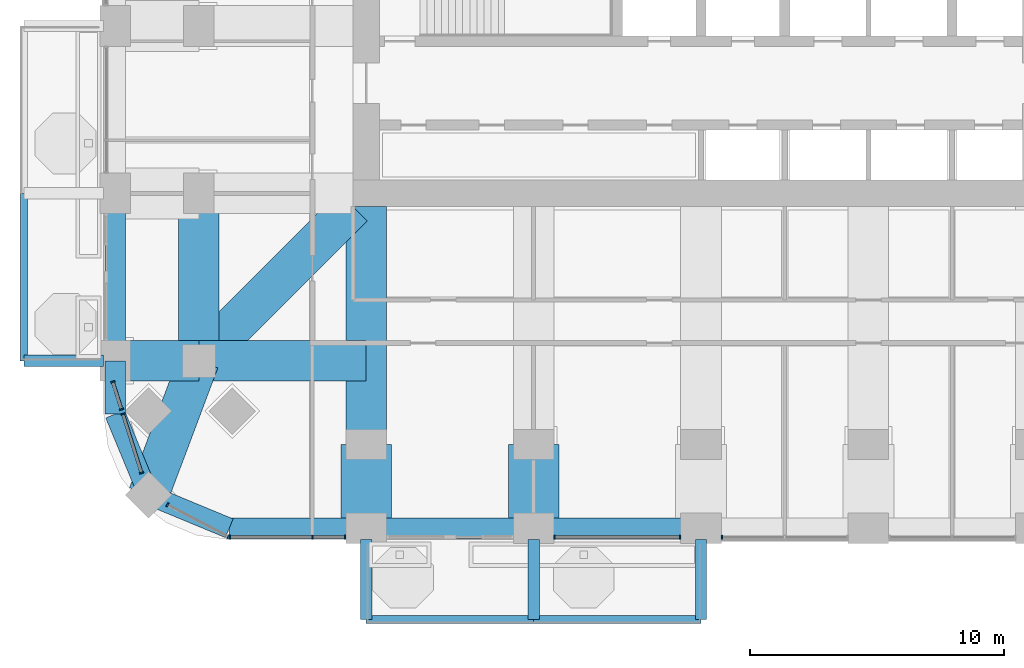
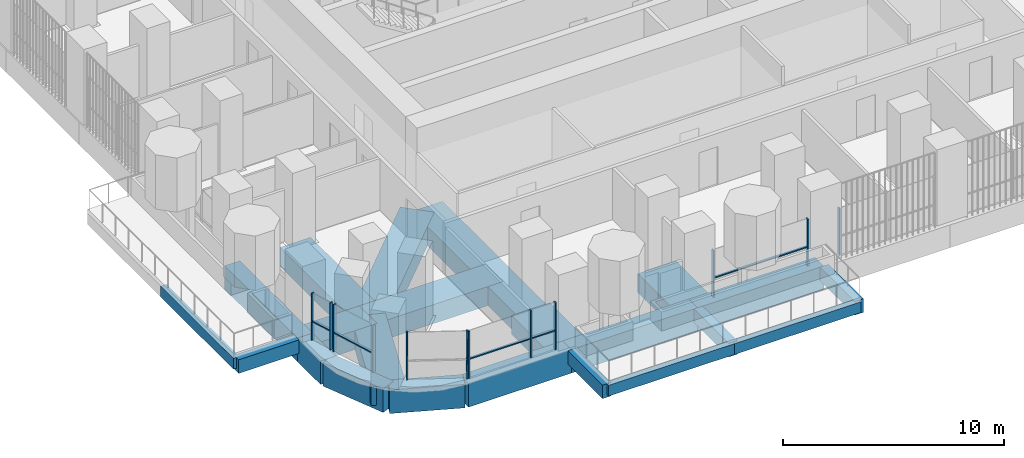
# One storey, part 2 of 21: 22 beams, 17 members, 6 elements without a shape of their own.
"""IFC4 building model written with IfcOpenShell, lengths in metres."""

from ifc_helpers import new_model, si_unit, direction, frame, origin, origin_2d, place, context, subcontext, project, spatial, rectangle, extrude, material, material_profile, profile_set, type_object, element, aggregate, save


model = new_model("IFC4")

# Units and contexts
model_context = context("Model", 3, precision=1e-05, world=origin(), true_north=direction((0.0, 1.0)))
body_context = subcontext(model_context, "Body", "Model", "MODEL_VIEW")
ifc_project = project(units=[si_unit("LENGTHUNIT", "METRE"), si_unit("AREAUNIT", "SQUARE_METRE"), si_unit("VOLUMEUNIT", "CUBIC_METRE"), si_unit("PLANEANGLEUNIT", "RADIAN"), si_unit("MASSUNIT", "GRAM", prefix="KILO")], contexts=[model_context])

# Site, building, storey
site_placement = place(None, origin())
site = spatial("IfcSite", under=ifc_project, at=site_placement, CompositionType="ELEMENT")
building_placement = place(site_placement, origin())
building = spatial("IfcBuilding", under=site, at=building_placement, Name="Cobogo Forest Laboratory Tower", CompositionType="ELEMENT")
storey_placement = place(building_placement, frame((0.0, 0.0, 141.0)))
storey = spatial("IfcBuildingStorey", under=building, at=storey_placement, Name="L32", CompositionType="ELEMENT", Elevation=141.0)

# Beams
ifc_material_1 = material(Name="Concrete HA-40 (C40/50)", Category="concrete")
ifc_material_profile_1 = material_profile(ifc_material_1, rectangle(XDim=0.449951171875, YDim=0.75, at=origin_2d()), Name="RC 450x750")
ifc_profile_set_1 = profile_set([ifc_material_profile_1], Name="Concrete HA-40 (C40/50)")
beam_type_1 = type_object("IfcBeamType", Name="Balcony cantilever beam 450x750", PredefinedType="BEAM", material=ifc_profile_set_1)
for number, where, z_axis, x_axis, name in (
    (1, (13.199951171875, -0.449951171875, -0.625), (0.0, -1.0, 0.0), (1.0, 0.0, 0.0), "CB1 BAL-S1-C1 L32"),
    (2, (19.800048828125, -0.449951171875, -0.625), (0.0, -1.0, 0.0), (1.0, 0.0, 0.0), "CB1 BAL-S1-C2 L32"),
    (3, (26.39990234375, -0.449951171875, -0.625), (0.0, -1.0, 0.0), (1.0, 0.0, 0.0), "CB1 BAL-S1-C3 L32"),
    (4, (2.85009765625, 6.60009765625, -0.625), (-1.0, 0.0, 0.0), (0.0, -1.0, 0.0), "CB1 BAL-W1-C1 L32"),
):
    element("IfcBeam", number, at=place(storey_placement, frame(where, z_axis=z_axis, x_axis=x_axis)), inside=storey, type_object=beam_type_1, Name=name, PredefinedType="BEAM", context=body_context, shape_type="SweptSolid", body=[
        extrude(rectangle(XDim=0.449951171875, YDim=0.75, at=origin_2d()), origin(), (0.0, 0.0, 1.0), 3.150146484375),
    ])
ifc_material_profile_2 = material_profile(ifc_material_1, rectangle(XDim=0.300048828125, YDim=0.60009765625, at=origin_2d()), Name="RC 300x600")
ifc_profile_set_2 = profile_set([ifc_material_profile_2], Name="Concrete HA-40 (C40/50)")
beam_type_2 = type_object("IfcBeamType", Name="Balcony edge beam 300x600", PredefinedType="BEAM", material=ifc_profile_set_2)
beam_1_placement = place(storey_placement, frame((13.199951171875, -3.60009765625, -0.550048828125), z_axis=(1.0, 0.0, 0.0), x_axis=(0.0, 1.0, 0.0)))
element("IfcBeam", 5, at=beam_1_placement, inside=storey, type_object=beam_type_2, Name="BB1 BAL-S1-T1 L32", PredefinedType="BEAM", context=body_context, shape_type="SweptSolid", body=[
    extrude(rectangle(XDim=0.300048828125, YDim=0.60009765625, at=origin_2d()), origin(), (0.0, 0.0, 1.0), 6.60009765625),
])
for number, where, z_axis, x_axis, name in (
    (6, (19.800048828125, -3.60009765625, -0.550048828125), (1.0, 0.0, 0.0), (0.0, 1.0, 0.0), "BB1 BAL-S1-T2 L32"),
    (7, (-0.300048828125, 6.60009765625, -0.550048828125), (0.0, 1.0, 0.0), (-1.0, 0.0, 0.0), "BB1 BAL-W1-T1 L32"),
):
    element("IfcBeam", number, at=place(storey_placement, frame(where, z_axis=z_axis, x_axis=x_axis)), inside=storey, type_object=beam_type_2, Name=name, PredefinedType="BEAM", context=body_context, shape_type="SweptSolid", body=[
        extrude(rectangle(XDim=0.300048828125, YDim=0.60009765625, at=origin_2d()), origin(), (0.0, 0.0, 1.0), 6.599853515625),
    ])
ifc_material_2 = material(Name="Concrete HA-50 (C50/60)", Category="concrete")
ifc_material_profile_3 = material_profile(ifc_material_2, rectangle(XDim=2.0, YDim=1.050048828125, at=origin_2d()), Name="RC 2000x1050")
ifc_profile_set_3 = profile_set([ifc_material_profile_3], Name="Concrete HA-50 (C50/60)")
beam_type_3 = type_object("IfcBeamType", Name="End-bay wide beam 2000x1050", PredefinedType="BEAM", material=ifc_profile_set_3)
for number, where, z_axis, x_axis, name in (
    (8, (13.199951171875, 0.0, -0.824951171875), (0.0, 1.0, 0.0), (-1.0, 0.0, 0.0), "RB7 R-3-S-X L32"),
    (9, (19.800048828125, 0.0, -0.824951171875), (0.0, 1.0, 0.0), (-1.0, 0.0, 0.0), "RB7 R-4-S-X L32"),
):
    element("IfcBeam", number, at=place(storey_placement, frame(where, z_axis=z_axis, x_axis=x_axis)), inside=storey, type_object=beam_type_3, Name=name, PredefinedType="BEAM", context=body_context, shape_type="SweptSolid", body=[
        extrude(rectangle(XDim=2.0, YDim=1.050048828125, at=origin_2d()), origin(), (0.0, 0.0, 1.0), 3.300048828125),
    ])
ifc_material_profile_4 = material_profile(ifc_material_2, rectangle(XDim=1.60009765625, YDim=1.050048828125, at=origin_2d()), Name="RC 1600x1050")
ifc_profile_set_4 = profile_set([ifc_material_profile_4], Name="Concrete HA-50 (C50/60)")
beam_type_4 = type_object("IfcBeamType", Name="Laboratory floor wide beam 1600x1050", PredefinedType="BEAM", material=ifc_profile_set_4)
beam_2_placement = place(storey_placement, frame((13.199951171875, 12.675048828125, -0.824951171875), z_axis=(0.0, -1.0, 0.0), x_axis=(1.0, 0.0, 0.0)))
element("IfcBeam", 10, at=beam_2_placement, inside=storey, type_object=beam_type_4, Name="RB8 R-3-S L32", PredefinedType="BEAM", context=body_context, shape_type="SweptSolid", body=[
    extrude(rectangle(XDim=1.60009765625, YDim=1.050048828125, at=origin_2d()), origin(), (0.0, 0.0, 1.0), 9.375),
])
beam_3_placement = place(storey_placement, frame((6.60009765625, 6.60009765625, -0.824951171875), z_axis=(0.0, 1.0, 0.0), x_axis=(-1.0, 0.0, 0.0)))
element("IfcBeam", 11, at=beam_3_placement, inside=storey, type_object=beam_type_4, Name="RB8 G-SW-XC L32", PredefinedType="BEAM", context=body_context, shape_type="SweptSolid", body=[
    extrude(rectangle(XDim=1.60009765625, YDim=1.050048828125, at=origin_2d()), origin(), (0.0, 0.0, 1.0), 6.599853515625),
])
beam_4_placement = place(storey_placement, frame((3.300048828125, 6.60009765625, -0.824951171875), z_axis=(1.0, 0.0, 0.0), x_axis=(0.0, 1.0, 0.0)))
element("IfcBeam", 12, at=beam_4_placement, inside=storey, type_object=beam_type_4, Name="RB8 G-SW-YF L32", PredefinedType="BEAM", context=body_context, shape_type="SweptSolid", body=[
    extrude(rectangle(XDim=1.60009765625, YDim=1.050048828125, at=origin_2d()), origin(), (0.0, 0.0, 1.0), 3.300048828125),
])
beam_5_placement = place(storey_placement, frame((6.60009765625, 6.60009765625, -0.824951171875), z_axis=(1.0, 0.0, 0.0), x_axis=(0.0, 1.0, 0.0)))
element("IfcBeam", 13, at=beam_5_placement, inside=storey, type_object=beam_type_4, Name="RB8 G-SW-YC L32", PredefinedType="BEAM", context=body_context, shape_type="SweptSolid", body=[
    extrude(rectangle(XDim=1.60009765625, YDim=1.050048828125, at=origin_2d()), origin(), (0.0, 0.0, 1.0), 6.599853515625),
])
beam_6_placement = place(storey_placement, frame((4.617919921875, 1.318115234375, -0.824951171875), z_axis=(0.351346325373, 0.936245565889, 0.0), x_axis=(-0.936245565889, 0.351346325373, 0.0)))
element("IfcBeam", 14, at=beam_6_placement, inside=storey, type_object=beam_type_4, Name="RB8 G-SW-D1 L32", PredefinedType="BEAM", context=body_context, shape_type="SweptSolid", body=[
    extrude(rectangle(XDim=1.60009765625, YDim=1.050048828125, at=origin_2d()), origin(), (0.0, 0.0, 1.0), 5.6416015625),
])
beam_7_placement = place(storey_placement, frame((6.60009765625, 6.60009765625, -0.824951171875), z_axis=(0.707106781187, 0.707106781187, 0.0), x_axis=(-0.707106781187, 0.707106781187, 0.0)))
element("IfcBeam", 15, at=beam_7_placement, inside=storey, type_object=beam_type_4, Name="RB8 G-SW-D2 L32", PredefinedType="BEAM", context=body_context, shape_type="SweptSolid", body=[
    extrude(rectangle(XDim=1.60009765625, YDim=1.050048828125, at=origin_2d()), origin(), (0.0, 0.0, 1.0), 8.59130859375),
])

# Curtain wall, members
ifc_material_3 = material(Name="Aluminium curtain wall", Category="aluminium")
curtain_wall_type = type_object("IfcCurtainWallType", Name="CW-1 unitised curtain wall, clear glazing, laboratory floors zones A and B", PredefinedType="USERDEFINED", material=ifc_material_3)
curtain_wall_1_placement = place(storey_placement, origin())
curtain_wall_1 = element("IfcCurtainWall", 16, at=curtain_wall_1_placement, inside=storey, type_object=curtain_wall_type, Name="Curtain wall 01 L32", ObjectType="UNITISED CURTAIN WALL", PredefinedType="USERDEFINED")
ifc_material_4 = material(Name="Aluminium mullion", Category="aluminium")
ifc_material_profile_5 = material_profile(ifc_material_4, rectangle(XDim=0.06005859375, YDim=0.159912109375, at=origin_2d()), Name="AL 60x160")
ifc_profile_set_5 = profile_set([ifc_material_profile_5], Name="Aluminium mullion")
member_type_1 = type_object("IfcMemberType", Name="MU-1 aluminium mullion 60x160", PredefinedType="MULLION", material=ifc_profile_set_5)
member_1_placement = place(storey_placement, frame((7.830078125, -0.35009765625, 0.0), z_axis=(0.0, 0.0, 1.0), x_axis=(1.0, 0.0, 0.0)))
member_1 = element("IfcMember", 17, at=member_1_placement, type_object=member_type_1, Name="CW-1 mullion 1", PredefinedType="MULLION", context=body_context, shape_type="SweptSolid", body=[
    extrude(rectangle(XDim=0.06005859375, YDim=0.159912109375, at=origin_2d()), origin(), (0.0, 0.0, 1.0), 2.60009765625),
])
member_2_placement = place(storey_placement, frame((11.074951171875, -0.35009765625, 0.0), z_axis=(0.0, 0.0, 1.0), x_axis=(1.0, 0.0, 0.0)))
member_2 = element("IfcMember", 18, at=member_2_placement, type_object=member_type_1, Name="CW-1 mullion 2", PredefinedType="MULLION", context=body_context, shape_type="SweptSolid", body=[
    extrude(rectangle(XDim=0.06005859375, YDim=0.159912109375, at=origin_2d()), origin(), (0.0, 0.0, 1.0), 2.60009765625),
])
member_3_placement = place(storey_placement, frame((12.3701171875, -0.35009765625, 0.0), z_axis=(0.0, 0.0, 1.0), x_axis=(1.0, 0.0, 0.0)))
member_3 = element("IfcMember", 19, at=member_3_placement, type_object=member_type_1, Name="CW-1 mullion 3", PredefinedType="MULLION", context=body_context, shape_type="SweptSolid", body=[
    extrude(rectangle(XDim=0.06005859375, YDim=0.159912109375, at=origin_2d()), origin(), (0.0, 0.0, 1.0), 2.60009765625),
])

curtain_wall_2_placement = place(storey_placement, origin())
curtain_wall_2 = element("IfcCurtainWall", 20, at=curtain_wall_2_placement, inside=storey, type_object=curtain_wall_type, Name="Curtain wall 03 L32", ObjectType="UNITISED CURTAIN WALL", PredefinedType="USERDEFINED")
member_4_placement = place(storey_placement, frame((20.6298828125, -0.35009765625, 0.0), z_axis=(0.0, 0.0, 1.0), x_axis=(1.0, 0.0, 0.0)))
member_4 = element("IfcMember", 21, at=member_4_placement, type_object=member_type_1, Name="CW-1 mullion 1", PredefinedType="MULLION", context=body_context, shape_type="SweptSolid", body=[
    extrude(rectangle(XDim=0.06005859375, YDim=0.159912109375, at=origin_2d()), origin(), (0.0, 0.0, 1.0), 2.60009765625),
])
member_5_placement = place(storey_placement, frame((25.570068359375, -0.35009765625, 0.0), z_axis=(0.0, 0.0, 1.0), x_axis=(1.0, 0.0, 0.0)))
member_5 = element("IfcMember", 22, at=member_5_placement, type_object=member_type_1, Name="CW-1 mullion 2", PredefinedType="MULLION", context=body_context, shape_type="SweptSolid", body=[
    extrude(rectangle(XDim=0.06005859375, YDim=0.159912109375, at=origin_2d()), origin(), (0.0, 0.0, 1.0), 2.60009765625),
])

# Curtain wall, member
curtain_wall_3_placement = place(storey_placement, origin())
curtain_wall_3 = element("IfcCurtainWall", 23, at=curtain_wall_3_placement, inside=storey, type_object=curtain_wall_type, Name="Curtain wall 04 L32", ObjectType="UNITISED CURTAIN WALL", PredefinedType="USERDEFINED")
member_6_placement = place(storey_placement, frame((27.22998046875, -0.35009765625, 0.0), z_axis=(0.0, 0.0, 1.0), x_axis=(1.0, 0.0, 0.0)))
member_6 = element("IfcMember", 24, at=member_6_placement, type_object=member_type_1, Name="CW-1 mullion 1", PredefinedType="MULLION", context=body_context, shape_type="SweptSolid", body=[
    extrude(rectangle(XDim=0.06005859375, YDim=0.159912109375, at=origin_2d()), origin(), (0.0, 0.0, 1.0), 2.60009765625),
])
aggregate(curtain_wall_3, [member_6])

# Curtain wall, members
curtain_wall_4_placement = place(storey_placement, origin())
curtain_wall_4 = element("IfcCurtainWall", 25, at=curtain_wall_4_placement, inside=storey, type_object=curtain_wall_type, Name="Curtain wall 32 L32", ObjectType="UNITISED CURTAIN WALL", PredefinedType="USERDEFINED")
member_7_placement = place(storey_placement, frame((3.211669921875, 5.771484375, 0.0), z_axis=(0.0, 0.0, 1.0), x_axis=(0.301135667865, -0.953581307252, 0.0)))
member_7 = element("IfcMember", 26, at=member_7_placement, type_object=member_type_1, Name="CW-1 mullion 1", PredefinedType="MULLION", context=body_context, shape_type="SweptSolid", body=[
    extrude(rectangle(XDim=0.06005859375, YDim=0.159912109375, at=origin_2d()), origin(), (0.0, 0.0, 1.0), 2.60009765625),
])
member_8_placement = place(storey_placement, frame((3.55224609375, 4.69287109375, 0.0), z_axis=(0.0, 0.0, 1.0), x_axis=(0.301135667865, -0.953581307252, 0.0)))
member_8 = element("IfcMember", 27, at=member_8_placement, type_object=member_type_1, Name="CW-1 mullion 2", PredefinedType="MULLION", context=body_context, shape_type="SweptSolid", body=[
    extrude(rectangle(XDim=0.06005859375, YDim=0.159912109375, at=origin_2d()), origin(), (0.0, 0.0, 1.0), 2.60009765625),
])

curtain_wall_5_placement = place(storey_placement, origin())
curtain_wall_5 = element("IfcCurtainWall", 28, at=curtain_wall_5_placement, inside=storey, type_object=curtain_wall_type, Name="Curtain wall 33 L32", ObjectType="UNITISED CURTAIN WALL", PredefinedType="USERDEFINED")
member_9_placement = place(storey_placement, frame((3.613037109375, 4.500244140625, 0.0), z_axis=(0.0, 0.0, 1.0), x_axis=(0.301135291996, -0.953581425949, 0.0)))
member_9 = element("IfcMember", 29, at=member_9_placement, type_object=member_type_1, Name="CW-1 mullion 1", PredefinedType="MULLION", context=body_context, shape_type="SweptSolid", body=[
    extrude(rectangle(XDim=0.06005859375, YDim=0.159912109375, at=origin_2d()), origin(), (0.0, 0.0, 1.0), 2.60009765625),
])
member_10_placement = place(storey_placement, frame((4.34423828125, 2.18505859375, 0.0), z_axis=(0.0, 0.0, 1.0), x_axis=(0.301135291996, -0.953581425949, 0.0)))
member_10 = element("IfcMember", 30, at=member_10_placement, type_object=member_type_1, Name="CW-1 mullion 2", PredefinedType="MULLION", context=body_context, shape_type="SweptSolid", body=[
    extrude(rectangle(XDim=0.06005859375, YDim=0.159912109375, at=origin_2d()), origin(), (0.0, 0.0, 1.0), 2.60009765625),
])

curtain_wall_6_placement = place(storey_placement, origin())
curtain_wall_6 = element("IfcCurtainWall", 31, at=curtain_wall_6_placement, inside=storey, type_object=curtain_wall_type, Name="Curtain wall 34 L32", ObjectType="UNITISED CURTAIN WALL", PredefinedType="USERDEFINED")
member_11_placement = place(storey_placement, frame((5.368408203125, 0.9248046875, 0.0), z_axis=(0.0, 0.0, 1.0), x_axis=(0.885686547075, -0.464283685186, 0.0)))
member_11 = element("IfcMember", 32, at=member_11_placement, type_object=member_type_1, Name="CW-1 mullion 1", PredefinedType="MULLION", context=body_context, shape_type="SweptSolid", body=[
    extrude(rectangle(XDim=0.06005859375, YDim=0.159912109375, at=origin_2d()), origin(), (0.0, 0.0, 1.0), 2.60009765625),
])
member_12_placement = place(storey_placement, frame((7.7734375, -0.336181640625, 0.0), z_axis=(0.0, 0.0, 1.0), x_axis=(0.885686547075, -0.464283685186, 0.0)))
member_12 = element("IfcMember", 33, at=member_12_placement, type_object=member_type_1, Name="CW-1 mullion 2", PredefinedType="MULLION", context=body_context, shape_type="SweptSolid", body=[
    extrude(rectangle(XDim=0.06005859375, YDim=0.159912109375, at=origin_2d()), origin(), (0.0, 0.0, 1.0), 2.60009765625),
])
aggregate(curtain_wall_6, [member_11, member_12])

# Beams
ifc_material_profile_6 = material_profile(ifc_material_1, rectangle(XDim=0.800048828125, YDim=1.300048828125, at=origin_2d()), Name="RC 800x1300")
ifc_profile_set_6 = profile_set([ifc_material_profile_6], Name="Concrete HA-40 (C40/50)")
beam_type_5 = type_object("IfcBeamType", Name="Perimeter edge beam 800x1300", PredefinedType="BEAM", material=ifc_profile_set_6)
beam_8_placement = place(storey_placement, frame((13.199951171875, 0.0, -0.949951171875), z_axis=(1.0, 0.0, 0.0), x_axis=(0.0, 1.0, 0.0)))
element("IfcBeam", 34, at=beam_8_placement, inside=storey, type_object=beam_type_5, Name="EB2 E-S1 L32", PredefinedType="BEAM", context=body_context, shape_type="SweptSolid", body=[
    extrude(rectangle(XDim=0.800048828125, YDim=1.300048828125, at=origin_2d()), origin(), (0.0, 0.0, 1.0), 6.60009765625),
])
for number, where, z_axis, x_axis, name in (
    (35, (19.800048828125, 0.0, -0.949951171875), (1.0, 0.0, 0.0), (0.0, 1.0, 0.0), "EB2 E-S2 L32"),
    (36, (3.300048828125, 6.60009765625, -0.949951171875), (0.0, 1.0, 0.0), (-1.0, 0.0, 0.0), "EB2 E-W1 L32"),
):
    element("IfcBeam", number, at=place(storey_placement, frame(where, z_axis=z_axis, x_axis=x_axis)), inside=storey, type_object=beam_type_5, Name=name, PredefinedType="BEAM", context=body_context, shape_type="SweptSolid", body=[
        extrude(rectangle(XDim=0.800048828125, YDim=1.300048828125, at=origin_2d()), origin(), (0.0, 0.0, 1.0), 6.599853515625),
    ])
beam_9_placement = place(storey_placement, frame((13.199951171875, 0.0, -0.949951171875), z_axis=(-1.0, 0.0, 0.0), x_axis=(0.0, -1.0, 0.0)))
element("IfcBeam", 37, at=beam_9_placement, inside=storey, type_object=beam_type_5, Name="EB2 E-SWS1 L32", PredefinedType="BEAM", context=body_context, shape_type="SweptSolid", body=[
    extrude(rectangle(XDim=0.800048828125, YDim=1.300048828125, at=origin_2d()), origin(), (0.0, 0.0, 1.0), 5.39990234375),
])
beam_10_placement = place(storey_placement, frame((7.800048828125, 0.0, -0.949951171875), z_axis=(-0.923876013265, 0.382691928466, 0.0), x_axis=(-0.382691928466, -0.923876013265, 0.0)))
element("IfcBeam", 38, at=beam_10_placement, inside=storey, type_object=beam_type_5, Name="EB2 E-SWS2 L32", PredefinedType="BEAM", context=body_context, shape_type="SweptSolid", body=[
    extrude(rectangle(XDim=0.800048828125, YDim=1.300048828125, at=origin_2d()), origin(), (0.0, 0.0, 1.0), 3.4443359375),
])
beam_11_placement = place(storey_placement, frame((3.300048828125, 6.60009765625, -0.949951171875), z_axis=(0.0, -1.0, 0.0), x_axis=(1.0, 0.0, 0.0)))
element("IfcBeam", 39, at=beam_11_placement, inside=storey, type_object=beam_type_5, Name="EB2 E-SWW1 L32", PredefinedType="BEAM", context=body_context, shape_type="SweptSolid", body=[
    extrude(rectangle(XDim=0.800048828125, YDim=1.300048828125, at=origin_2d()), origin(), (0.0, 0.0, 1.0), 2.10009765625),
])
beam_12_placement = place(storey_placement, frame((3.300048828125, 4.5, -0.949951171875), z_axis=(0.382656484822, -0.923890694089, 0.0), x_axis=(0.923890694089, 0.382656484822, 0.0)))
element("IfcBeam", 40, at=beam_12_placement, inside=storey, type_object=beam_type_5, Name="EB2 E-SWW2 L32", PredefinedType="BEAM", context=body_context, shape_type="SweptSolid", body=[
    extrude(rectangle(XDim=0.800048828125, YDim=1.300048828125, at=origin_2d()), origin(), (0.0, 0.0, 1.0), 3.444091796875),
])

# Member
ifc_material_5 = material(Name="Aluminium transom", Category="aluminium")
ifc_material_profile_7 = material_profile(ifc_material_5, rectangle(XDim=0.1201171875, YDim=0.06005859375, at=origin_2d()), Name="AL 60x120")
ifc_profile_set_7 = profile_set([ifc_material_profile_7], Name="Aluminium transom")
member_type_2 = type_object("IfcMemberType", Name="TR-1 aluminium transom 60x120", PredefinedType="USERDEFINED", material=ifc_profile_set_7)
member_13_placement = place(storey_placement, frame((7.860107421875, -0.35009765625, 1.050048828125), z_axis=(1.0, 0.0, 0.0), x_axis=(0.0, 1.0, 0.0)))
member_13 = element("IfcMember", 41, at=member_13_placement, type_object=member_type_2, Name="CW-1 transom 1.1", ObjectType="TRANSOM", PredefinedType="USERDEFINED", context=body_context, shape_type="SweptSolid", body=[
    extrude(rectangle(XDim=0.1201171875, YDim=0.06005859375, at=origin_2d()), origin(), (0.0, 0.0, 1.0), 3.184814453125),
])

member_14_placement = place(storey_placement, frame((11.10498046875, -0.35009765625, 1.050048828125), z_axis=(1.0, 0.0, 0.0), x_axis=(0.0, 1.0, 0.0)))
member_14 = element("IfcMember", 42, at=member_14_placement, type_object=member_type_2, Name="CW-1 transom 2.1", ObjectType="TRANSOM", PredefinedType="USERDEFINED", context=body_context, shape_type="SweptSolid", body=[
    extrude(rectangle(XDim=0.1201171875, YDim=0.06005859375, at=origin_2d()), origin(), (0.0, 0.0, 1.0), 1.235107421875),
])

aggregate(curtain_wall_1, [member_1, member_2, member_3, member_13, member_14])

member_15_placement = place(storey_placement, frame((20.659912109375, -0.35009765625, 1.050048828125), z_axis=(1.0, 0.0, 0.0), x_axis=(0.0, 1.0, 0.0)))
member_15 = element("IfcMember", 43, at=member_15_placement, type_object=member_type_2, Name="CW-1 transom 1.1", ObjectType="TRANSOM", PredefinedType="USERDEFINED", context=body_context, shape_type="SweptSolid", body=[
    extrude(rectangle(XDim=0.1201171875, YDim=0.06005859375, at=origin_2d()), origin(), (0.0, 0.0, 1.0), 4.880126953125),
])

aggregate(curtain_wall_2, [member_4, member_5, member_15])

member_16_placement = place(storey_placement, frame((3.220703125, 5.74267578125, 1.050048828125), z_axis=(0.301207754852, -0.953558539586, 0.0), x_axis=(0.953558539586, 0.301207754852, 0.0)))
member_16 = element("IfcMember", 44, at=member_16_placement, type_object=member_type_2, Name="CW-1 transom 1.1", ObjectType="TRANSOM", PredefinedType="USERDEFINED", context=body_context, shape_type="SweptSolid", body=[
    extrude(rectangle(XDim=0.1201171875, YDim=0.06005859375, at=origin_2d()), origin(), (0.0, 0.0, 1.0), 1.07080078125),
])

aggregate(curtain_wall_4, [member_7, member_8, member_16])

member_17_placement = place(storey_placement, frame((3.6220703125, 4.4716796875, 1.050048828125), z_axis=(0.301156039198, -0.953574873859, 0.0), x_axis=(0.953574873859, 0.301156039198, 0.0)))
member_17 = element("IfcMember", 45, at=member_17_placement, type_object=member_type_2, Name="CW-1 transom 1.1", ObjectType="TRANSOM", PredefinedType="USERDEFINED", context=body_context, shape_type="SweptSolid", body=[
    extrude(rectangle(XDim=0.1201171875, YDim=0.06005859375, at=origin_2d()), origin(), (0.0, 0.0, 1.0), 2.367919921875),
])

aggregate(curtain_wall_5, [member_9, member_10, member_17])

save(model, "model.ifc")
